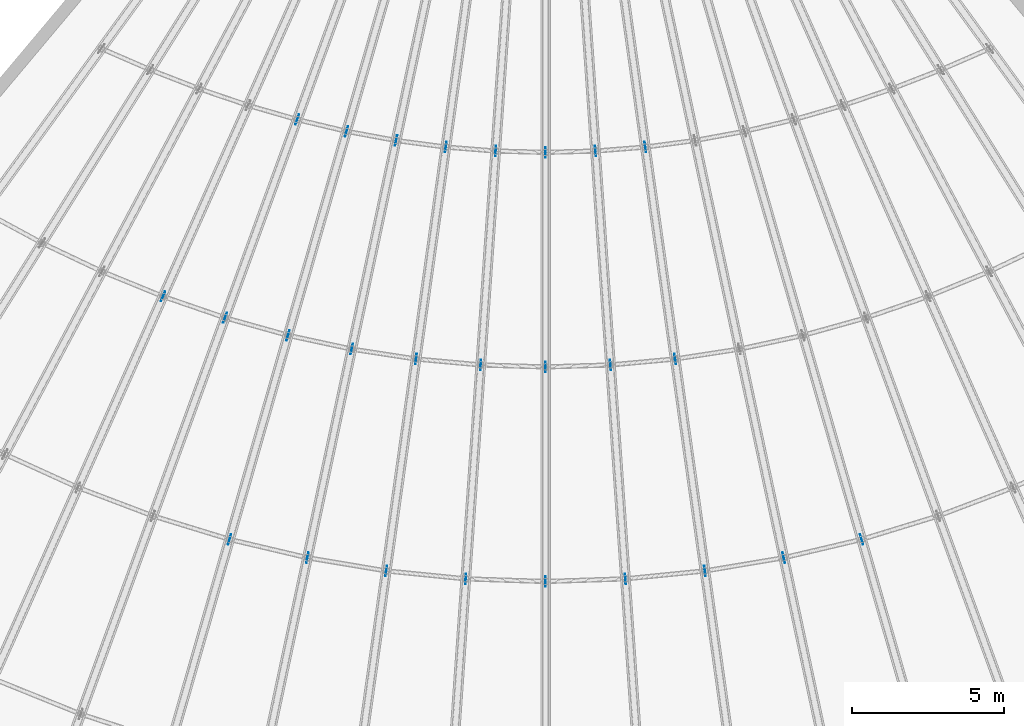
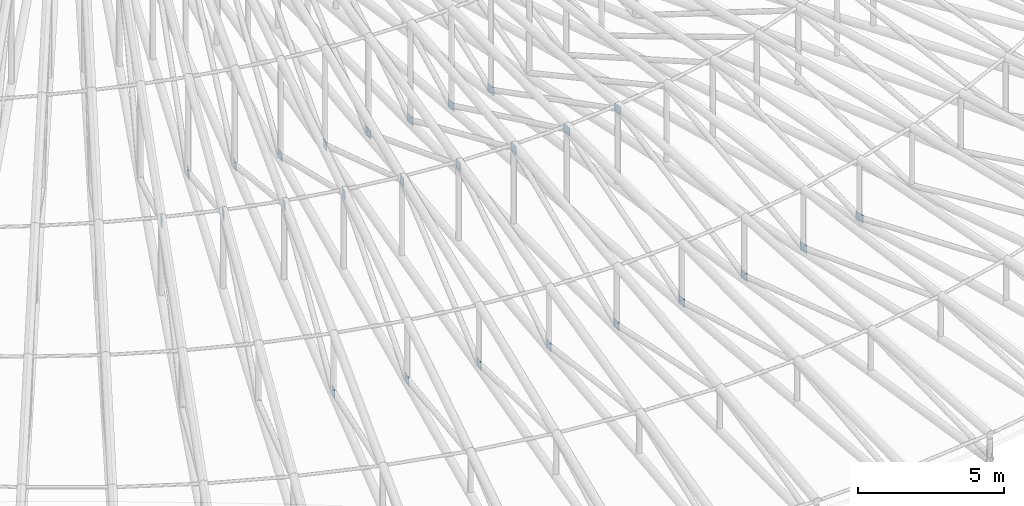
# One storey, part 132 of 163: 26 discrete accessories.
"""IFC4 building model written with IfcOpenShell, lengths in metres."""

from ifc_helpers import new_model, si_unit, direction, frame, origin, origin_2d, place, context, subcontext, project, spatial, rectangle, extrude, material, layer, layer_set, type_object, element, save


model = new_model("IFC4")

# Units and contexts
model_context = context("Model", 3, precision=1e-05, world=origin(), true_north=direction((0.0, 1.0)))
body_context = subcontext(model_context, "Body", "Model", "MODEL_VIEW")
ifc_project = project(units=[si_unit("LENGTHUNIT", "METRE"), si_unit("AREAUNIT", "SQUARE_METRE"), si_unit("VOLUMEUNIT", "CUBIC_METRE"), si_unit("PLANEANGLEUNIT", "RADIAN"), si_unit("MASSUNIT", "GRAM", prefix="KILO")], contexts=[model_context])

# Site, building, storey
site_placement = place(None, origin())
site = spatial("IfcSite", under=ifc_project, at=site_placement, CompositionType="ELEMENT")
building_placement = place(site_placement, origin())
building = spatial("IfcBuilding", under=site, at=building_placement, Name="Rain Tree Exposition and Congress Centre", CompositionType="ELEMENT")
storey_placement = place(building_placement, frame((0.0, 0.0, 10.5)))
storey = spatial("IfcBuildingStorey", under=building, at=storey_placement, Name="L02", CompositionType="ELEMENT", Elevation=10.5)

# Discrete accessories
ifc_material = material(Name="Steel plate S355J2", Category="steel")
ifc_layer = layer(ifc_material, 0.02001953125)
ifc_layer_set = layer_set([ifc_layer], Name="Steel plate S355J2")
discrete_accessory_type = type_object("IfcDiscreteAccessoryType", Name="Brace node plate 350x350x20", PredefinedType="BRACKET", material=ifc_layer_set)
for number, where, z_axis, x_axis, name in (
    (1, (189.04345703125, 38.99755859375, 3.179931640625), (0.0, 0.0, 1.0), (0.406736643076, 0.913545457643, 0.0), "Brace node plate 350"),
    (2, (191.08056640625, 38.2978515625, 3.19287109375), (0.0, 0.0, 1.0), (0.342020143326, 0.939692620786, 0.0), "Brace node plate 350"),
    (3, (193.44775390625, 44.802001953125, 0.1435546875), (0.0, 0.0, 1.0), (-0.342020143326, -0.939692620786, 0.0), "Brace node plate 350"),
    (4, (191.226806640625, 31.024169921875, 0.1435546875), (0.0, 0.0, 1.0), (-0.275637355817, -0.961261695938, 0.0), "Brace node plate 350"),
    (5, (193.14697265625, 37.720703125, 3.202880859375), (0.0, 0.0, 1.0), (0.275637355817, 0.961261695938, 0.0), "Brace node plate 350"),
    (6, (195.067138671875, 44.4169921875, 0.1435546875), (0.0, 0.0, 1.0), (-0.275637355817, -0.961261695938, 0.0), "Brace node plate 350"),
    (7, (193.782470703125, 30.421630859375, 0.1435546875), (0.0, 0.0, 1.0), (-0.207911690818, -0.978147600734, 0.0), "Brace node plate 350"),
    (8, (195.23779296875, 37.268798828125, 3.21044921875), (0.0, 0.0, 1.0), (0.207911690818, 0.978147600734, 0.0), "Brace node plate 350"),
    (9, (196.693359375, 44.11572265625, 0.1435546875), (0.0, 0.0, 1.0), (-0.207911690818, -0.978147600734, 0.0), "Brace node plate 350"),
    (10, (196.370361328125, 29.9892578125, 0.1435546875), (0.0, 0.0, 1.0), (-0.13917310096, -0.990268068742, 0.0), "Brace node plate 350"),
    (11, (197.347900390625, 36.9443359375, 3.2158203125), (0.0, 0.0, 1.0), (0.13917310096, 0.990268068742, 0.0), "Brace node plate 350"),
    (12, (198.3251953125, 43.899658203125, 0.1435546875), (0.0, 0.0, 1.0), (-0.13917310096, -0.990268068742, 0.0), "Brace node plate 350"),
    (13, (198.979736328125, 29.72900390625, 0.1435546875), (0.0, 0.0, 1.0), (-0.069756473744, -0.99756405026, 0.0), "Brace node plate 350"),
    (14, (199.470703125, 36.749267578125, 3.21875), (0.0, 0.0, 1.0), (0.069756473744, 0.99756405026, 0.0), "Brace node plate 350"),
    (15, (199.961669921875, 43.76953125, 0.1435546875), (0.0, 0.0, 1.0), (-0.069756473744, -0.99756405026, 0.0), "Brace node plate 350"),
    (16, (201.60009765625, 29.64208984375, 0.1435546875), (0.0, 0.0, 1.0), (0.0, -1.0, 0.0), "Brace node plate 350"),
    (17, (201.60009765625, 36.68408203125, 3.219970703125), (0.0, 0.0, 1.0), (0.0, 1.0, 0.0), "Brace node plate 350"),
    (18, (201.60009765625, 43.72607421875, 0.1435546875), (0.0, 0.0, 1.0), (0.0, -1.0, 0.0), "Brace node plate 350"),
    (19, (204.22021484375, 29.72900390625, 0.1435546875), (0.0, 0.0, 1.0), (0.069756473744, -0.99756405026, 0.0), "Brace node plate 350"),
    (20, (203.729248046875, 36.749267578125, 3.21875), (0.0, 0.0, 1.0), (-0.069756473744, 0.99756405026, 0.0), "Brace node plate 350"),
    (21, (203.23828125, 43.76953125, 0.1435546875), (0.0, 0.0, 1.0), (0.069756473744, -0.99756405026, 0.0), "Brace node plate 350"),
    (22, (206.82958984375, 29.9892578125, 0.1435546875), (0.0, 0.0, 1.0), (0.13917310096, -0.990268068742, 0.0), "Brace node plate 350"),
    (23, (205.85205078125, 36.9443359375, 3.2158203125), (0.0, 0.0, 1.0), (-0.13917310096, 0.990268068742, 0.0), "Brace node plate 350"),
    (24, (204.874755859375, 43.899658203125, 0.1435546875), (0.0, 0.0, 1.0), (0.13917310096, -0.990268068742, 0.0), "Brace node plate 350"),
    (25, (209.41748046875, 30.421630859375, 0.1435546875), (0.0, 0.0, 1.0), (0.207911690818, -0.978147600734, 0.0), "Brace node plate 350"),
    (26, (211.97314453125, 31.024169921875, 0.1435546875), (0.0, 0.0, 1.0), (0.275637355817, -0.961261695938, 0.0), "Brace node plate 350"),
):
    element("IfcDiscreteAccessory", number, at=place(storey_placement, frame(where, z_axis=z_axis, x_axis=x_axis)), inside=storey, type_object=discrete_accessory_type, Name=name, PredefinedType="BRACKET", context=body_context, shape_type="SweptSolid", body=[
        extrude(rectangle(XDim=0.35009765625, YDim=0.02001953125, at=origin_2d()), origin(), (0.0, 0.0, 1.0), 0.35009765625),
    ])

save(model, "model.ifc")
